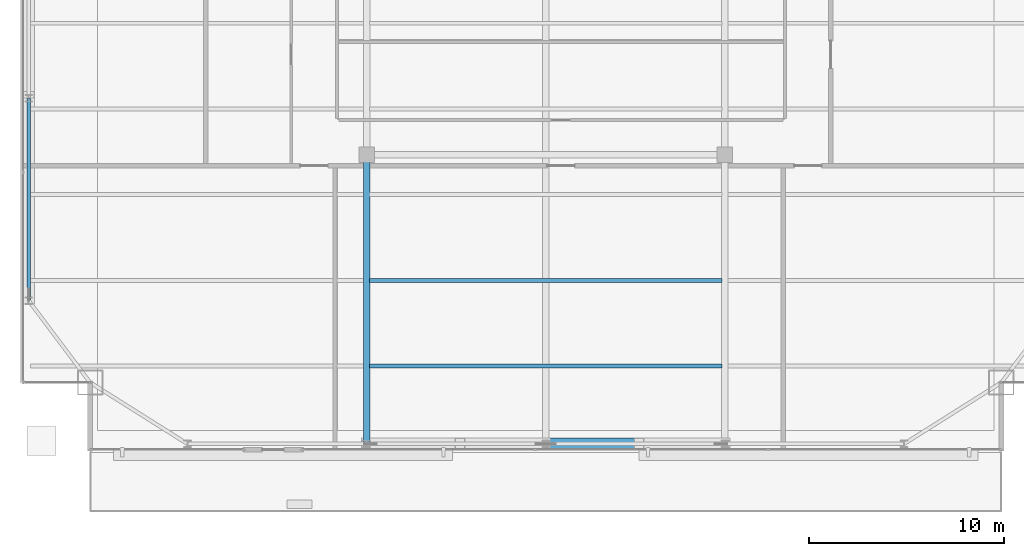
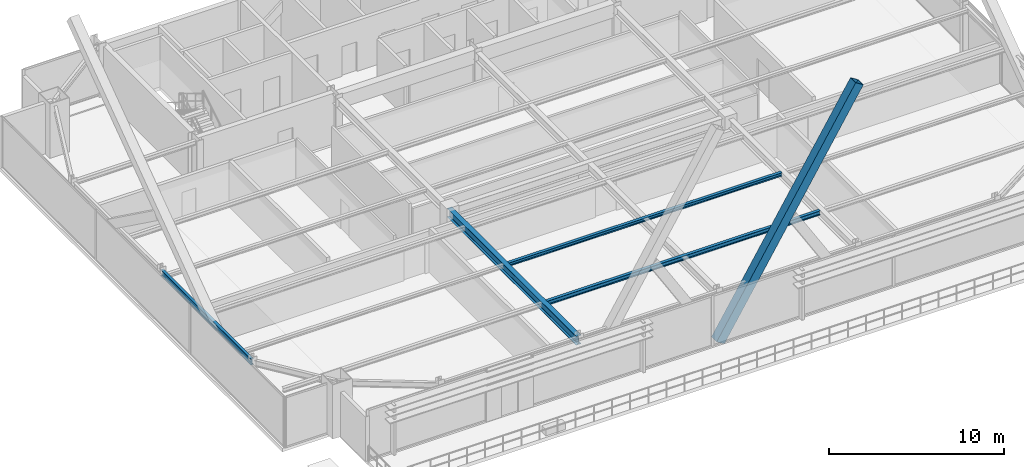
# One storey, part 8 of 33: 4 beams, 1 member.
"""IFC4 building model written with IfcOpenShell, lengths in metres."""

from ifc_helpers import new_model, si_unit, direction, frame, origin, origin_2d, place, context, subcontext, project, spatial, hollow_rectangle, i_section, extrude, source, transform, mapped, material, material_profile, profile_set, type_object, type_shapes, element, save


model = new_model("IFC4")

# Units and contexts
model_context = context("Model", 3, precision=1e-05, world=origin(), true_north=direction((0.0, 1.0)))
body_context = subcontext(model_context, "Body", "Model", "MODEL_VIEW")
ifc_project = project(units=[si_unit("LENGTHUNIT", "METRE"), si_unit("AREAUNIT", "SQUARE_METRE"), si_unit("VOLUMEUNIT", "CUBIC_METRE"), si_unit("PLANEANGLEUNIT", "RADIAN"), si_unit("MASSUNIT", "GRAM", prefix="KILO")], contexts=[model_context])

# Site, building, storey
site_placement = place(None, origin())
site = spatial("IfcSite", under=ifc_project, at=site_placement, CompositionType="ELEMENT")
building_placement = place(site_placement, origin())
building = spatial("IfcBuilding", under=site, at=building_placement, Name="Varnel Quay Broadcast Tower", CompositionType="ELEMENT")
storey_placement = place(building_placement, frame((0.0, 0.0, 145.800048828125)))
storey = spatial("IfcBuildingStorey", under=building, at=storey_placement, Name="L35", CompositionType="ELEMENT", Elevation=145.800048828125)

# Beams
ifc_material_1 = material(Name="Structural Steel CSA G40.21 350W", Category="steel")
ifc_material_profile_1 = material_profile(ifc_material_1, i_section(OverallWidth=0.180908203125, OverallDepth=0.4169921875, WebThickness=0.010986328125, FlangeThickness=0.018310546875, FilletRadius=0.011962890625, at=origin_2d()), Name="W410X85")
ifc_profile_set_1 = profile_set([ifc_material_profile_1], Name="Structural Steel CSA G40.21 350W")
beam_type_1 = type_object("IfcBeamType", Name="Beam_W410X85", PredefinedType="SPANDREL", material=ifc_profile_set_1)
shared_shape_1 = source(origin(), body_context, "Body", "SweptSolid", [
    extrude(i_section(OverallWidth=0.180908203125, OverallDepth=0.4169921875, WebThickness=0.010986328125, FlangeThickness=0.018310546875, FilletRadius=0.011962890625, at=origin_2d()), origin(), (0.0, 0.0, 1.0), 10.35986328125),
])
type_shapes(beam_type_1, [shared_shape_1])
beam_1_placement = place(storey_placement, frame((7.449951171875, 15.02001953125, 3.341552734375), z_axis=(0.0, 1.0, 0.0), x_axis=(-1.0, 0.0, 0.0)))
element("IfcBeam", 1, at=beam_1_placement, inside=storey, type_object=beam_type_1, Name="L35 West Spandrel TC-W1-TC-W2", PredefinedType="SPANDREL", context=body_context, shape_type="MappedRepresentation", body=[
    mapped(shared_shape_1, transform((0.0, 0.0, 0.0), x_axis=(1.0, 0.0, 0.0), y_axis=(0.0, 1.0, 0.0), z_axis=(0.0, 0.0, 1.0), scale=1.0)),
])
ifc_material_profile_2 = material_profile(ifc_material_1, i_section(OverallWidth=0.324951171875, OverallDepth=0.615966796875, WebThickness=0.013916015625, FlangeThickness=0.021484375, FilletRadius=0.01611328125, at=origin_2d()), Name="W610X174")
ifc_profile_set_2 = profile_set([ifc_material_profile_2], Name="Structural Steel CSA G40.21 350W")
beam_type_2 = type_object("IfcBeamType", Name="Girder_W610X174", PredefinedType="BEAM", material=ifc_profile_set_2)
shared_shape_2 = source(origin(), body_context, "Body", "SweptSolid", [
    extrude(i_section(OverallWidth=0.324951171875, OverallDepth=0.615966796875, WebThickness=0.013916015625, FlangeThickness=0.021484375, FilletRadius=0.01611328125, at=origin_2d()), origin(), (0.0, 0.0, 1.0), 14.800048828125),
])
type_shapes(beam_type_2, [shared_shape_2])
beam_2_placement = place(storey_placement, frame((24.800048828125, 7.669921875, 3.241943359375), z_axis=(0.0, 1.0, 0.0), x_axis=(-1.0, 0.0, 0.0)))
element("IfcBeam", 2, at=beam_2_placement, inside=storey, type_object=beam_type_2, Name="L35 Primary Girder TC-S2-IC-01", PredefinedType="BEAM", context=body_context, shape_type="MappedRepresentation", body=[
    mapped(shared_shape_2, transform((0.0, 0.0, 0.0), x_axis=(1.0, 0.0, 0.0), y_axis=(0.0, 1.0, 0.0), z_axis=(0.0, 0.0, 1.0), scale=1.0)),
])
ifc_material_profile_3 = material_profile(ifc_material_1, i_section(OverallWidth=0.202880859375, OverallDepth=0.302978515625, WebThickness=0.007568359375, FlangeThickness=0.01318359375, FilletRadius=0.011962890625, at=origin_2d()), Name="W310X60")
ifc_profile_set_3 = profile_set([ifc_material_profile_3], Name="Structural Steel CSA G40.21 350W")
beam_type_3 = type_object("IfcBeamType", Name="Beam_W310X60", PredefinedType="JOIST", material=ifc_profile_set_3)
shared_shape_3 = source(origin(), body_context, "Body", "SweptSolid", [
    extrude(i_section(OverallWidth=0.202880859375, OverallDepth=0.302978515625, WebThickness=0.007568359375, FlangeThickness=0.01318359375, FilletRadius=0.011962890625, at=origin_2d()), origin(), (0.0, 0.0, 1.0), 18.0849609375),
])
type_shapes(beam_type_3, [shared_shape_3])
beam_3_placement = place(storey_placement, frame((24.95751953125, 11.64990234375, 3.3984375), z_axis=(1.0, 0.0, 0.0), x_axis=(0.0, 1.0, 0.0)))
element("IfcBeam", 3, at=beam_3_placement, inside=storey, type_object=beam_type_3, Name="L35 Central Floor Joist 1", PredefinedType="JOIST", context=body_context, shape_type="MappedRepresentation", body=[
    mapped(shared_shape_3, transform((0.0, 0.0, 0.0), x_axis=(1.0, 0.0, 0.0), y_axis=(0.0, 1.0, 0.0), z_axis=(0.0, 0.0, 1.0), scale=1.0)),
])
ifc_material_profile_4 = material_profile(ifc_material_1, i_section(OverallWidth=0.201904296875, OverallDepth=0.2470703125, WebThickness=0.00732421875, FlangeThickness=0.010986328125, FilletRadius=0.010986328125, at=origin_2d()), Name="W250X49")
ifc_profile_set_4 = profile_set([ifc_material_profile_4], Name="Structural Steel CSA G40.21 350W")
beam_type_4 = type_object("IfcBeamType", Name="Beam_W250X49", PredefinedType="JOIST", material=ifc_profile_set_4)
shared_shape_4 = source(origin(), body_context, "Body", "SweptSolid", [
    extrude(i_section(OverallWidth=0.201904296875, OverallDepth=0.2470703125, WebThickness=0.00732421875, FlangeThickness=0.010986328125, FilletRadius=0.010986328125, at=origin_2d()), origin(), (0.0, 0.0, 1.0), 18.0849609375),
])
type_shapes(beam_type_4, [shared_shape_4])
beam_4_placement = place(storey_placement, frame((24.95751953125, 16.050048828125, 3.426513671875), z_axis=(1.0, 0.0, 0.0), x_axis=(0.0, 1.0, 0.0)))
element("IfcBeam", 4, at=beam_4_placement, inside=storey, type_object=beam_type_4, Name="L35 Central Floor Joist 2", PredefinedType="JOIST", context=body_context, shape_type="MappedRepresentation", body=[
    mapped(shared_shape_4, transform((0.0, 0.0, 0.0), x_axis=(1.0, 0.0, 0.0), y_axis=(0.0, 1.0, 0.0), z_axis=(0.0, 0.0, 1.0), scale=1.0)),
])

# Member
ifc_material_2 = material(Name="Structural Steel CSA G40.21 350WT", Category="steel")
ifc_material_profile_5 = material_profile(ifc_material_2, hollow_rectangle(XDim=0.60009765625, YDim=0.60009765625, WallThickness=0.028076171875, at=origin_2d()), Name="BOX600X600X28")
ifc_profile_set_5 = profile_set([ifc_material_profile_5], Name="Structural Steel CSA G40.21 350WT")
member_type = type_object("IfcMemberType", Name="Brace_BOX600X600X28", PredefinedType="BRACE", material=ifc_profile_set_5)
shared_shape_5 = source(origin(), body_context, "Body", "SweptSolid", [
    extrude(hollow_rectangle(XDim=0.60009765625, YDim=0.60009765625, WallThickness=0.028076171875, at=origin_2d()), origin(), (0.0, 0.0, 1.0), 17.519775390625),
])
type_shapes(member_type, [shared_shape_5])
member_placement = place(storey_placement, frame((34.0, 7.64990234375, 0.02001953125), z_axis=(0.525116345996, 0.0, 0.85103044785), x_axis=(0.0, 1.0, 0.0)))
element("IfcMember", 5, at=member_placement, inside=storey, type_object=member_type, Name="Zone 3 Mega-Brace S-C2T1 Continuous Diag A", PredefinedType="BRACE", context=body_context, shape_type="MappedRepresentation", body=[
    mapped(shared_shape_5, transform((0.0, 0.0, 0.0), x_axis=(1.0, 0.0, 0.0), y_axis=(0.0, 1.0, 0.0), z_axis=(0.0, 0.0, 1.0), scale=1.0)),
])

save(model, "model.ifc")
